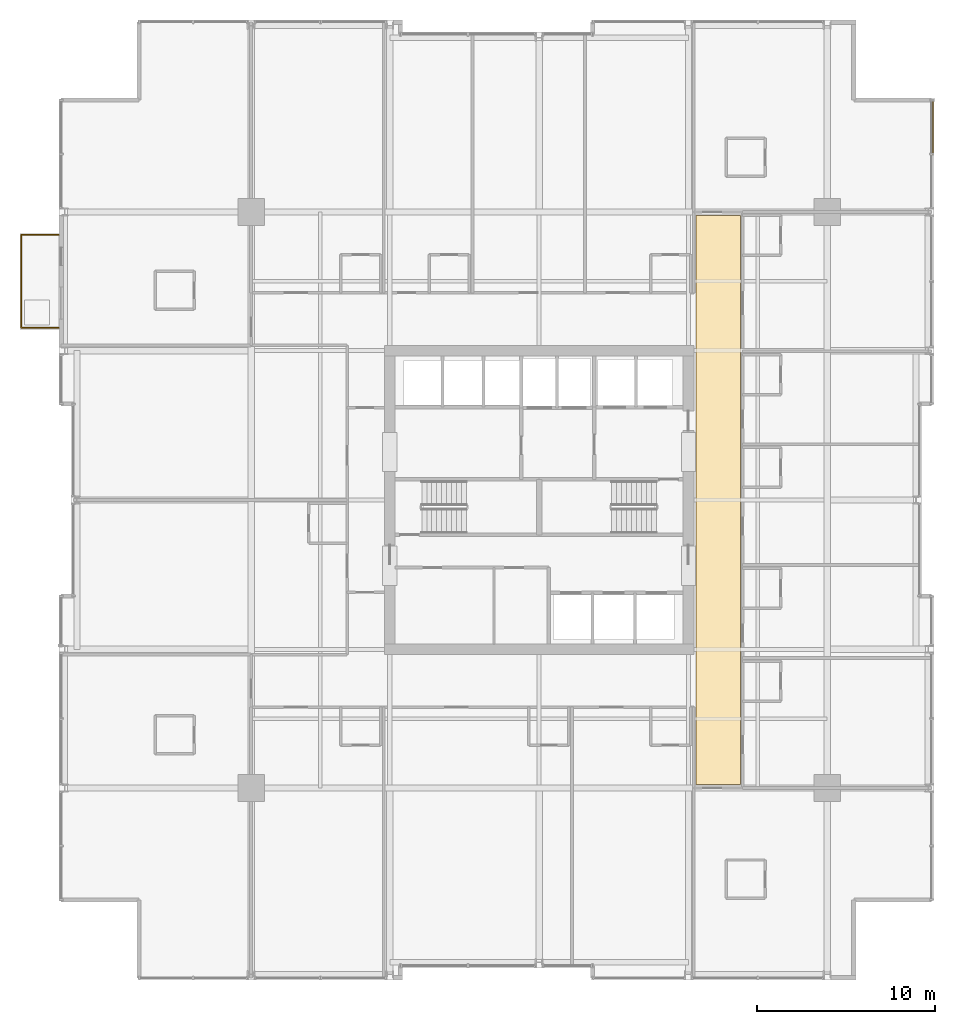
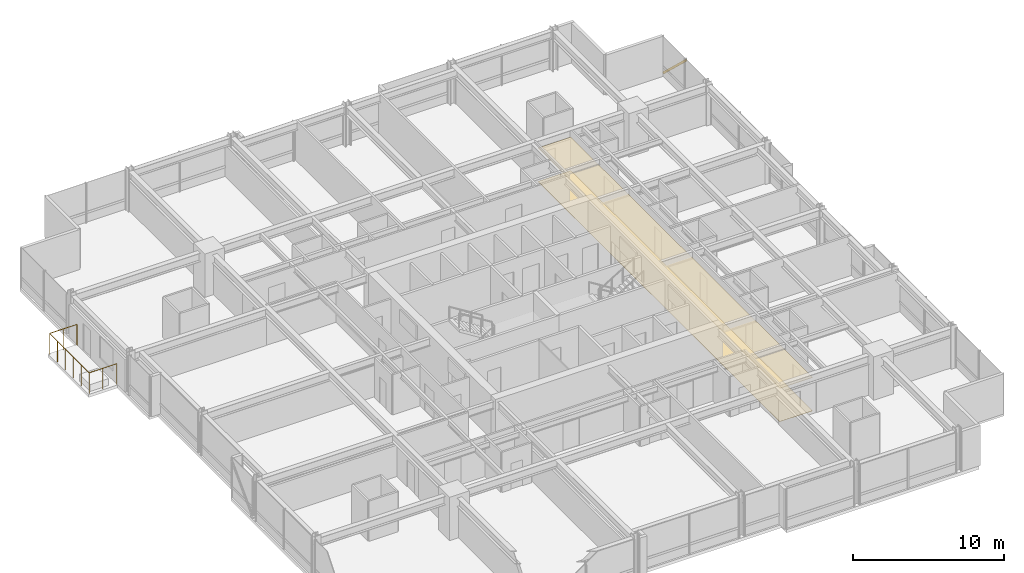
# One storey, part 34 of 34: 2 coverings, 1 railing, 1 shading device.
"""IFC4 building model written with IfcOpenShell, lengths in metres."""

from ifc_helpers import new_model, si_unit, direction, frame, origin, origin_2d, place, context, subcontext, project, spatial, polyline, hollow_rectangle, circle, outline, extrude, material, layer, layer_set, material_profile, profile_set, type_object, element, save


model = new_model("IFC4")

# Units and contexts
model_context = context("Model", 3, precision=1e-05, world=origin(), true_north=direction((0.0, 1.0)))
body_context = subcontext(model_context, "Body", "Model", "MODEL_VIEW")
ifc_project = project(units=[si_unit("LENGTHUNIT", "METRE"), si_unit("AREAUNIT", "SQUARE_METRE"), si_unit("VOLUMEUNIT", "CUBIC_METRE"), si_unit("PLANEANGLEUNIT", "RADIAN"), si_unit("MASSUNIT", "GRAM", prefix="KILO")], contexts=[model_context])

# Site, building, storey
site_placement = place(None, origin())
site = spatial("IfcSite", under=ifc_project, at=site_placement, CompositionType="ELEMENT")
building_placement = place(site_placement, origin())
building = spatial("IfcBuilding", under=site, at=building_placement, Name="Drelvath Grand Hotel", CompositionType="ELEMENT")
storey_placement = place(building_placement, frame((0.0, 0.0, 126.800048828125)))
storey = spatial("IfcBuildingStorey", under=building, at=storey_placement, Name="L32", CompositionType="ELEMENT", Elevation=126.800048828125)

# Shading device
ifc_material_1 = material(Name="Champagne Bronze Anodised Aluminium", Category="aluminium")
ifc_material_profile = material_profile(ifc_material_1, hollow_rectangle(XDim=0.06494140625, YDim=0.159912109375, WallThickness=0.00390625, at=origin_2d()), Name="HSS160X65X4")
ifc_profile_set = profile_set([ifc_material_profile], Name="Champagne Bronze Anodised Aluminium")
shading_device_type = type_object("IfcShadingDeviceType", Name="Diagonal Solar Fin Champagne Anodised HSS160X65X4", PredefinedType="USERDEFINED", material=ifc_profile_set)
shading_device_placement = place(storey_placement, frame((22.159912109375, 49.5, 0.179931640625), z_axis=(0.0, -0.72654778604, 0.687115939708), x_axis=(1.0, 0.0, 0.0)))
element("IfcShadingDevice", 1, at=shading_device_placement, inside=storey, type_object=shading_device_type, Name="L32 Diagonal Anodised Fin CW03-L32-EN3", ObjectType="FIN", PredefinedType="USERDEFINED", context=body_context, shape_type="SweptSolid", body=[
    extrude(hollow_rectangle(XDim=0.06494140625, YDim=0.159912109375, WallThickness=0.00390625, at=origin_2d()), origin(), (0.0, 0.0, 1.0), 4.191650390625),
])

# Coverings
ifc_material_2 = material(Name="Woven Wool Broadloom Carpet")
ifc_layer_1 = layer(ifc_material_2, 0.01806640625)
ifc_layer_set_1 = layer_set([ifc_layer_1], Name="Woven Wool Broadloom Carpet")
covering_type_1 = type_object("IfcCoveringType", Name="Hospitality Broadloom Carpet 18", PredefinedType="FLOORING", material=ifc_layer_set_1)
covering_1_placement = place(storey_placement, origin())
element("IfcCovering", 2, at=covering_1_placement, inside=storey, type_object=covering_type_1, Name="L32 East Spine Carpet", PredefinedType="FLOORING", context=body_context, shape_type="SweptSolid", body=[
    extrude(outline(polyline([(11.330078125, 11.0), (11.330078125, 43.0), (8.820068359375, 43.0), (8.820068359375, 11.0), (11.330078125, 11.0)])), origin(), (0.0, 0.0, 1.0), 0.01806640625),
])
ifc_material_3 = material(Name="Anodised Aluminium Alloy", Category="aluminium")
ifc_layer_2 = layer(ifc_material_3, 0.0400390625)
ifc_layer_set_2 = layer_set([ifc_layer_2], Name="Anodised Aluminium Alloy")
covering_type_2 = type_object("IfcCoveringType", Name="Perforated Metal Corridor Ceiling 40", PredefinedType="CEILING", material=ifc_layer_set_2)
covering_2_placement = place(storey_placement, frame((0.0, 0.0, 2.68994140625)))
element("IfcCovering", 3, at=covering_2_placement, inside=storey, type_object=covering_type_2, Name="L32 East Spine Ceiling", PredefinedType="CEILING", context=body_context, shape_type="SweptSolid", body=[
    extrude(outline(polyline([(11.330078125, 11.0), (11.330078125, 43.0), (8.820068359375, 43.0), (8.820068359375, 11.0), (11.330078125, 11.0)])), origin(), (0.0, 0.0, 1.0), 0.0400390625),
])

# Railing
ifc_material_4 = material(Name="Anodised Aluminium and Laminated Glass Balustrade", Category="aluminium")
railing_type = type_object("IfcRailingType", Name="Raised Planter Edge Balustrade 1700", PredefinedType="BALUSTRADE", material=ifc_material_4)
railing_placement = place(storey_placement, frame((-27.02001953125, 36.679931640625, 0.0)))
element("IfcRailing", 4, at=railing_placement, inside=storey, type_object=railing_type, Name="L32 Tree Balcony Perimeter Balustrade 1", PredefinedType="BALUSTRADE", context=body_context, shape_type="SweptSolid", body=[
    extrude(circle(Radius=0.02392578125, at=origin_2d()), frame((0.0, 0.0, 1.67578125), z_axis=(-1.0, 0.0, 0.0), x_axis=(0.0, -1.0, 0.0)), (0.0, 0.0, 1.0), 2.10009765625),
    extrude(circle(Radius=0.02392578125, at=origin_2d()), frame((-2.10009765625, 0.0, 1.67578125), z_axis=(0.0, 1.0, 0.0), x_axis=(-1.0, 0.0, 0.0)), (0.0, 0.0, 1.0), 5.239990234375),
    extrude(circle(Radius=0.02392578125, at=origin_2d()), frame((-2.10009765625, 5.239990234375, 1.67578125), z_axis=(1.0, 0.0, 0.0), x_axis=(0.0, 1.0, 0.0)), (0.0, 0.0, 1.0), 2.10009765625),
    extrude(circle(Radius=0.02099609375, at=origin_2d()), origin(), (0.0, 0.0, 1.0), 1.65185546875),
    extrude(circle(Radius=0.02099609375, at=origin_2d()), frame((-1.050048828125, 0.0, 0.0)), (0.0, 0.0, 1.0), 1.65185546875),
    extrude(circle(Radius=0.02099609375, at=origin_2d()), frame((-2.10009765625, 0.0, 0.0)), (0.0, 0.0, 1.0), 1.65185546875),
    extrude(circle(Radius=0.02099609375, at=origin_2d()), frame((-2.10009765625, 1.048095703125, 0.0)), (0.0, 0.0, 1.0), 1.65185546875),
    extrude(circle(Radius=0.02099609375, at=origin_2d()), frame((-2.10009765625, 2.095947265625, 0.0)), (0.0, 0.0, 1.0), 1.65185546875),
    extrude(circle(Radius=0.02099609375, at=origin_2d()), frame((-2.10009765625, 3.14404296875, 0.0)), (0.0, 0.0, 1.0), 1.65185546875),
    extrude(circle(Radius=0.02099609375, at=origin_2d()), frame((-2.10009765625, 4.19189453125, 0.0)), (0.0, 0.0, 1.0), 1.65185546875),
    extrude(circle(Radius=0.02099609375, at=origin_2d()), frame((-2.10009765625, 5.239990234375, 0.0)), (0.0, 0.0, 1.0), 1.65185546875),
    extrude(circle(Radius=0.02099609375, at=origin_2d()), frame((-1.050048828125, 5.239990234375, 0.0)), (0.0, 0.0, 1.0), 1.65185546875),
    extrude(circle(Radius=0.02099609375, at=origin_2d()), frame((0.0, 5.239990234375, 0.0)), (0.0, 0.0, 1.0), 1.65185546875),
])

save(model, "model.ifc")
